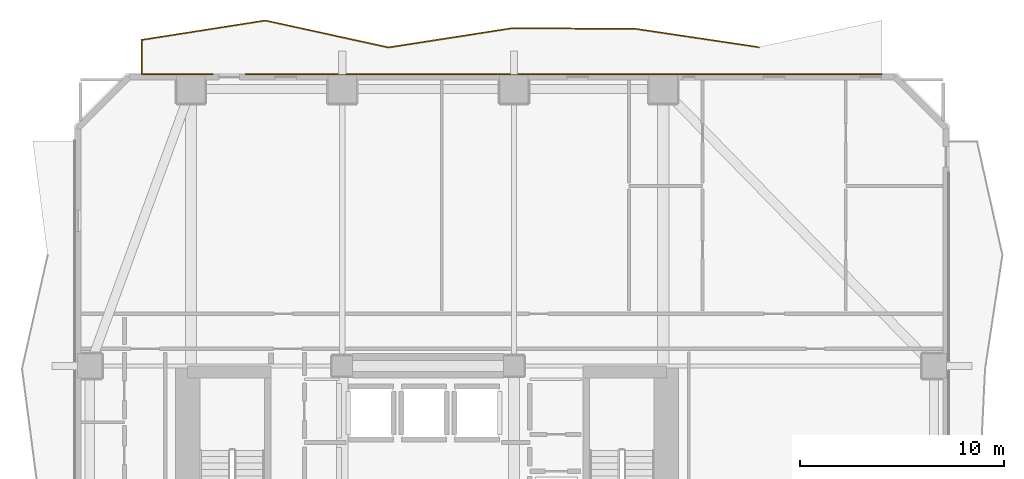
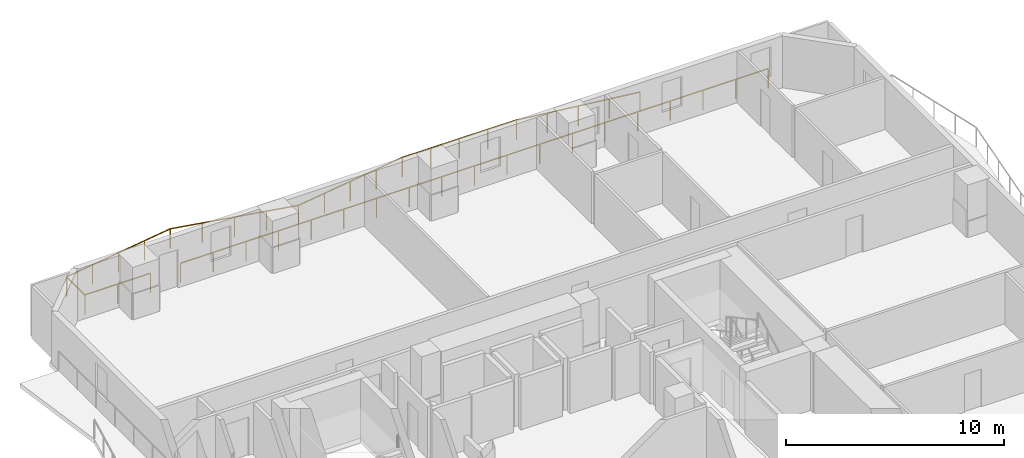
# One storey, part 10 of 10: 2 railings.
"""IFC4 building model written with IfcOpenShell, lengths in metres."""

from ifc_helpers import new_model, si_unit, direction, frame, origin, origin_2d, place, context, subcontext, project, spatial, rectangle, extrude, material, type_object, element, save


model = new_model("IFC4")

# Units and contexts
model_context = context("Model", 3, precision=1e-05, world=origin(), true_north=direction((0.0, 1.0)))
body_context = subcontext(model_context, "Body", "Model", "MODEL_VIEW")
ifc_project = project(units=[si_unit("LENGTHUNIT", "METRE"), si_unit("AREAUNIT", "SQUARE_METRE"), si_unit("VOLUMEUNIT", "CUBIC_METRE"), si_unit("PLANEANGLEUNIT", "RADIAN"), si_unit("MASSUNIT", "GRAM", prefix="KILO")], contexts=[model_context])

# Site, building, storey
site_placement = place(None, origin())
site = spatial("IfcSite", under=ifc_project, at=site_placement, CompositionType="ELEMENT")
building_placement = place(site_placement, origin())
building = spatial("IfcBuilding", under=site, at=building_placement, Name="Solanera Arch Residences", CompositionType="ELEMENT")
storey_placement = place(building_placement, frame((0.0, 0.0, 78.43994140625)))
storey = spatial("IfcBuildingStorey", under=building, at=storey_placement, Name="L22", CompositionType="ELEMENT", Elevation=78.43994140625)

# Railings
ifc_material = material(Name="Steel S355 (ASTM A992 / A572 Grade 50)", Category="steel")
railing_type = type_object("IfcRailingType", Name="Balustrade Railing BL-1100", PredefinedType="BALUSTRADE", material=ifc_material)
railing_1_placement = place(storey_placement, frame((41.1669921875, 54.9951171875, 0.0)))
element("IfcRailing", 1, at=railing_1_placement, inside=storey, type_object=railing_type, Name="L22 N Balcony Balustrade 1", PredefinedType="BALUSTRADE", context=body_context, shape_type="SweptSolid", body=[
    extrude(rectangle(XDim=0.048095703125, YDim=0.048095703125, at=origin_2d()), frame((0.0, 0.0, 1.09619140625), z_axis=(-0.989084097891, 0.147352120107, 0.0), x_axis=(-0.147352120107, -0.989084097891, 0.0)), (0.0, 0.0, 1.0), 6.1005859375),
    extrude(rectangle(XDim=0.048095703125, YDim=0.048095703125, at=origin_2d()), frame((-6.033935546875, 0.89892578125, 1.09619140625), z_axis=(-0.999990799846, 0.004289548168, 0.0), x_axis=(-0.004289548168, -0.999990799846, 0.0)), (0.0, 0.0, 1.0), 6.032958984375),
    extrude(rectangle(XDim=0.048095703125, YDim=0.048095703125, at=origin_2d()), frame((-12.06689453125, 0.9248046875, 1.09619140625), z_axis=(-0.988177663885, -0.153313093369, 0.0), x_axis=(0.153313093369, -0.988177663885, 0.0)), (0.0, 0.0, 1.0), 6.10546875),
    extrude(rectangle(XDim=0.048095703125, YDim=0.048095703125, at=origin_2d()), frame((-18.10009765625, -0.01123046875, 1.09619140625), z_axis=(-0.977059901719, 0.212964664801, 0.0), x_axis=(-0.212964664801, -0.977059901719, 0.0)), (0.0, 0.0, 1.0), 6.175537109375),
    extrude(rectangle(XDim=0.048095703125, YDim=0.048095703125, at=origin_2d()), frame((-24.134033203125, 1.303955078125, 1.09619140625), z_axis=(-0.987878088789, -0.15523170324, 0.0), x_axis=(0.15523170324, -0.987878088789, 0.0)), (0.0, 0.0, 1.0), 6.10693359375),
    extrude(rectangle(XDim=0.048095703125, YDim=0.048095703125, at=origin_2d()), frame((-30.1669921875, 0.35595703125, 1.09619140625), z_axis=(0.0, -1.0, 0.0), x_axis=(1.0, 0.0, 0.0)), (0.0, 0.0, 1.0), 1.671142578125),
    extrude(rectangle(XDim=0.048095703125, YDim=0.048095703125, at=origin_2d()), frame((-30.1669921875, -1.315185546875, 1.09619140625), z_axis=(1.0, 0.0, 0.0), x_axis=(0.0, 1.0, 0.0)), (0.0, 0.0, 1.0), 3.468017578125),
    extrude(rectangle(XDim=0.0419921875, YDim=0.0419921875, at=origin_2d()), origin(), (0.0, 0.0, 1.0), 1.072021484375),
    extrude(rectangle(XDim=0.0419921875, YDim=0.0419921875, at=origin_2d()), frame((-1.508544921875, 0.224609375, 0.0)), (0.0, 0.0, 1.0), 1.072021484375),
    extrude(rectangle(XDim=0.0419921875, YDim=0.0419921875, at=origin_2d()), frame((-3.01708984375, 0.449462890625, 0.0)), (0.0, 0.0, 1.0), 1.072021484375),
    extrude(rectangle(XDim=0.0419921875, YDim=0.0419921875, at=origin_2d()), frame((-4.525390625, 0.67431640625, 0.0)), (0.0, 0.0, 1.0), 1.072021484375),
    extrude(rectangle(XDim=0.0419921875, YDim=0.0419921875, at=origin_2d()), frame((-6.033935546875, 0.89892578125, 0.0)), (0.0, 0.0, 1.0), 1.072021484375),
    extrude(rectangle(XDim=0.0419921875, YDim=0.0419921875, at=origin_2d()), frame((-7.542236328125, 0.9052734375, 0.0)), (0.0, 0.0, 1.0), 1.072021484375),
    extrude(rectangle(XDim=0.0419921875, YDim=0.0419921875, at=origin_2d()), frame((-9.05029296875, 0.911865234375, 0.0)), (0.0, 0.0, 1.0), 1.072021484375),
    extrude(rectangle(XDim=0.0419921875, YDim=0.0419921875, at=origin_2d()), frame((-10.55859375, 0.91845703125, 0.0)), (0.0, 0.0, 1.0), 1.072021484375),
    extrude(rectangle(XDim=0.0419921875, YDim=0.0419921875, at=origin_2d()), frame((-12.06689453125, 0.9248046875, 0.0)), (0.0, 0.0, 1.0), 1.072021484375),
    extrude(rectangle(XDim=0.0419921875, YDim=0.0419921875, at=origin_2d()), frame((-13.5751953125, 0.69091796875, 0.0)), (0.0, 0.0, 1.0), 1.072021484375),
    extrude(rectangle(XDim=0.0419921875, YDim=0.0419921875, at=origin_2d()), frame((-15.08349609375, 0.456787109375, 0.0)), (0.0, 0.0, 1.0), 1.072021484375),
    extrude(rectangle(XDim=0.0419921875, YDim=0.0419921875, at=origin_2d()), frame((-16.591796875, 0.22265625, 0.0)), (0.0, 0.0, 1.0), 1.072021484375),
    extrude(rectangle(XDim=0.0419921875, YDim=0.0419921875, at=origin_2d()), frame((-18.10009765625, -0.01123046875, 0.0)), (0.0, 0.0, 1.0), 1.072021484375),
    extrude(rectangle(XDim=0.0419921875, YDim=0.0419921875, at=origin_2d()), frame((-19.608642578125, 0.317626953125, 0.0)), (0.0, 0.0, 1.0), 1.072021484375),
    extrude(rectangle(XDim=0.0419921875, YDim=0.0419921875, at=origin_2d()), frame((-21.1171875, 0.646484375, 0.0)), (0.0, 0.0, 1.0), 1.072021484375),
    extrude(rectangle(XDim=0.0419921875, YDim=0.0419921875, at=origin_2d()), frame((-22.62548828125, 0.97509765625, 0.0)), (0.0, 0.0, 1.0), 1.072021484375),
    extrude(rectangle(XDim=0.0419921875, YDim=0.0419921875, at=origin_2d()), frame((-24.134033203125, 1.303955078125, 0.0)), (0.0, 0.0, 1.0), 1.072021484375),
    extrude(rectangle(XDim=0.0419921875, YDim=0.0419921875, at=origin_2d()), frame((-25.642333984375, 1.06689453125, 0.0)), (0.0, 0.0, 1.0), 1.072021484375),
    extrude(rectangle(XDim=0.0419921875, YDim=0.0419921875, at=origin_2d()), frame((-27.150390625, 0.830078125, 0.0)), (0.0, 0.0, 1.0), 1.072021484375),
    extrude(rectangle(XDim=0.0419921875, YDim=0.0419921875, at=origin_2d()), frame((-28.65869140625, 0.593017578125, 0.0)), (0.0, 0.0, 1.0), 1.072021484375),
    extrude(rectangle(XDim=0.0419921875, YDim=0.0419921875, at=origin_2d()), frame((-30.1669921875, 0.35595703125, 0.0)), (0.0, 0.0, 1.0), 1.072021484375),
    extrude(rectangle(XDim=0.0419921875, YDim=0.0419921875, at=origin_2d()), frame((-30.1669921875, -1.315185546875, 0.0)), (0.0, 0.0, 1.0), 1.072021484375),
    extrude(rectangle(XDim=0.0419921875, YDim=0.0419921875, at=origin_2d()), frame((-28.43310546875, -1.315185546875, 0.0)), (0.0, 0.0, 1.0), 1.072021484375),
    extrude(rectangle(XDim=0.0419921875, YDim=0.0419921875, at=origin_2d()), frame((-26.698974609375, -1.315185546875, 0.0)), (0.0, 0.0, 1.0), 1.072021484375),
])
railing_2_placement = place(storey_placement, frame((16.068115234375, 53.679931640625, 0.0)))
element("IfcRailing", 2, at=railing_2_placement, inside=storey, type_object=railing_type, Name="L22 N Balcony Balustrade 2", PredefinedType="BALUSTRADE", context=body_context, shape_type="SweptSolid", body=[
    extrude(rectangle(XDim=0.048095703125, YDim=0.048095703125, at=origin_2d()), frame((0.0, 0.0, 1.09619140625), z_axis=(1.0, 0.0, 0.0), x_axis=(0.0, 1.0, 0.0)), (0.0, 0.0, 1.0), 31.1318359375),
    extrude(rectangle(XDim=0.0419921875, YDim=0.0419921875, at=origin_2d()), origin(), (0.0, 0.0, 1.0), 1.072021484375),
    extrude(rectangle(XDim=0.0419921875, YDim=0.0419921875, at=origin_2d()), frame((1.7294921875, 0.0, 0.0)), (0.0, 0.0, 1.0), 1.072021484375),
    extrude(rectangle(XDim=0.0419921875, YDim=0.0419921875, at=origin_2d()), frame((3.458984375, 0.0, 0.0)), (0.0, 0.0, 1.0), 1.072021484375),
    extrude(rectangle(XDim=0.0419921875, YDim=0.0419921875, at=origin_2d()), frame((5.188720703125, 0.0, 0.0)), (0.0, 0.0, 1.0), 1.072021484375),
    extrude(rectangle(XDim=0.0419921875, YDim=0.0419921875, at=origin_2d()), frame((6.918212890625, 0.0, 0.0)), (0.0, 0.0, 1.0), 1.072021484375),
    extrude(rectangle(XDim=0.0419921875, YDim=0.0419921875, at=origin_2d()), frame((8.647705078125, 0.0, 0.0)), (0.0, 0.0, 1.0), 1.072021484375),
    extrude(rectangle(XDim=0.0419921875, YDim=0.0419921875, at=origin_2d()), frame((10.377197265625, 0.0, 0.0)), (0.0, 0.0, 1.0), 1.072021484375),
    extrude(rectangle(XDim=0.0419921875, YDim=0.0419921875, at=origin_2d()), frame((12.10693359375, 0.0, 0.0)), (0.0, 0.0, 1.0), 1.072021484375),
    extrude(rectangle(XDim=0.0419921875, YDim=0.0419921875, at=origin_2d()), frame((13.83642578125, 0.0, 0.0)), (0.0, 0.0, 1.0), 1.072021484375),
    extrude(rectangle(XDim=0.0419921875, YDim=0.0419921875, at=origin_2d()), frame((15.56591796875, 0.0, 0.0)), (0.0, 0.0, 1.0), 1.072021484375),
    extrude(rectangle(XDim=0.0419921875, YDim=0.0419921875, at=origin_2d()), frame((17.29541015625, 0.0, 0.0)), (0.0, 0.0, 1.0), 1.072021484375),
    extrude(rectangle(XDim=0.0419921875, YDim=0.0419921875, at=origin_2d()), frame((19.02490234375, 0.0, 0.0)), (0.0, 0.0, 1.0), 1.072021484375),
    extrude(rectangle(XDim=0.0419921875, YDim=0.0419921875, at=origin_2d()), frame((20.754638671875, 0.0, 0.0)), (0.0, 0.0, 1.0), 1.072021484375),
    extrude(rectangle(XDim=0.0419921875, YDim=0.0419921875, at=origin_2d()), frame((22.484130859375, 0.0, 0.0)), (0.0, 0.0, 1.0), 1.072021484375),
    extrude(rectangle(XDim=0.0419921875, YDim=0.0419921875, at=origin_2d()), frame((24.213623046875, 0.0, 0.0)), (0.0, 0.0, 1.0), 1.072021484375),
    extrude(rectangle(XDim=0.0419921875, YDim=0.0419921875, at=origin_2d()), frame((25.943115234375, 0.0, 0.0)), (0.0, 0.0, 1.0), 1.072021484375),
    extrude(rectangle(XDim=0.0419921875, YDim=0.0419921875, at=origin_2d()), frame((27.6728515625, 0.0, 0.0)), (0.0, 0.0, 1.0), 1.072021484375),
    extrude(rectangle(XDim=0.0419921875, YDim=0.0419921875, at=origin_2d()), frame((29.40234375, 0.0, 0.0)), (0.0, 0.0, 1.0), 1.072021484375),
    extrude(rectangle(XDim=0.0419921875, YDim=0.0419921875, at=origin_2d()), frame((31.1318359375, 0.0, 0.0)), (0.0, 0.0, 1.0), 1.072021484375),
])

save(model, "model.ifc")
